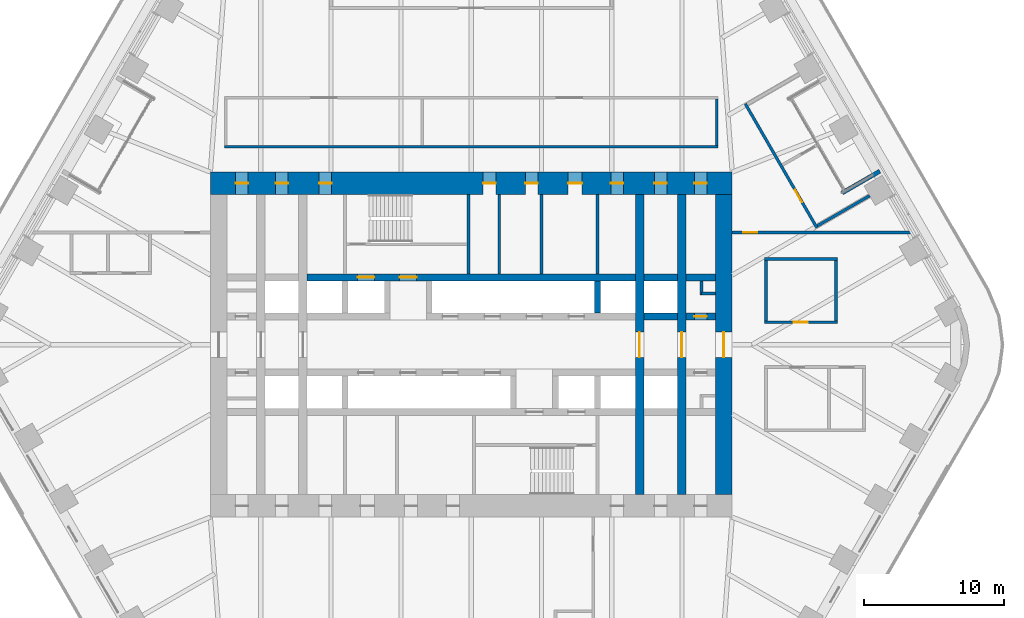
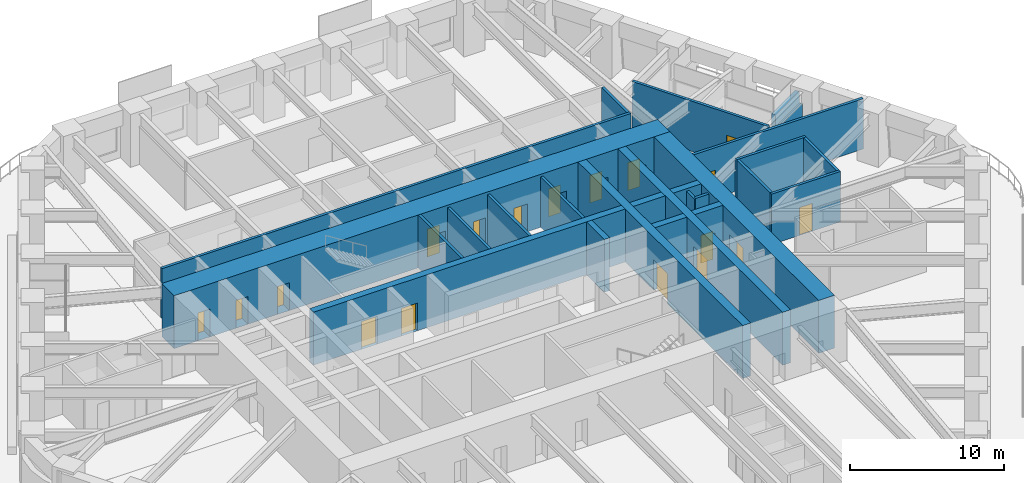
# One storey, part 20 of 24: 26 walls, 18 doors, 18 openings.
"""IFC4 building model written with IfcOpenShell, lengths in metres."""

from ifc_helpers import new_model, si_unit, direction, frame, frame_2d, origin, place, context, subcontext, project, spatial, rectangle, extrude, material, layer, layer_set, type_object, element, fill, save


model = new_model("IFC4")

# Units and contexts
model_context = context("Model", 3, precision=1e-05, world=origin(), true_north=direction((0.0, 1.0)))
body_context = subcontext(model_context, "Body", "Model", "MODEL_VIEW")
ifc_project = project(units=[si_unit("LENGTHUNIT", "METRE"), si_unit("AREAUNIT", "SQUARE_METRE"), si_unit("VOLUMEUNIT", "CUBIC_METRE"), si_unit("PLANEANGLEUNIT", "RADIAN"), si_unit("MASSUNIT", "GRAM", prefix="KILO")], contexts=[model_context])

# Site, building, storey
site_placement = place(None, origin())
site = spatial("IfcSite", under=ifc_project, at=site_placement, CompositionType="ELEMENT")
building_placement = place(site_placement, origin())
building = spatial("IfcBuilding", under=site, at=building_placement, Name="Tarfa Lantern Tower", CompositionType="ELEMENT")
storey_placement = place(building_placement, frame((0.0, 0.0, 144.699951171875)))
storey = spatial("IfcBuildingStorey", under=building, at=storey_placement, Name="L32", CompositionType="ELEMENT", Elevation=144.699951171875)

# Walls
ifc_material_1 = material(Name="Limestone cladding on blockwork", Category="masonry")
ifc_layer_1 = layer(ifc_material_1, 0.300048828125)
ifc_layer_set_1 = layer_set([ifc_layer_1], Name="EW1 STONE-CLAD WALL 300")
wall_type_1 = type_object("IfcWallType", Name="EW1 STONE-CLAD WALL 300", PredefinedType="SOLIDWALL", material=ifc_layer_set_1)
wall_1_placement = place(storey_placement, frame((29.1201171875, 12.362548828125, 0.0), z_axis=(0.0, 0.0, 1.0), x_axis=(-0.86602952684, -0.49999285859, 0.0)))
element("IfcWall", 1, at=wall_1_placement, inside=storey, type_object=wall_type_1, Name="Loggia return NE 1", PredefinedType="SOLIDWALL", context=body_context, shape_type="SweptSolid", body=[
    extrude(rectangle(XDim=3.10009765625, YDim=0.300048828125, at=frame_2d((1.550048828125, 0.0))), origin(), (0.0, 0.0, 1.0), 2.75),
])
ifc_material_2 = material(Name="Concrete blockwork", Category="masonry")
ifc_layer_2 = layer(ifc_material_2, 0.199951171875)
ifc_layer_set_2 = layer_set([ifc_layer_2], Name="IW1 BLOCKWORK PARTITION 200 EI 120")
wall_type_2 = type_object("IfcWallType", Name="IW1 BLOCKWORK PARTITION 200 EI 120", PredefinedType="PARTITIONING", material=ifc_layer_set_2)
for number, where, z_axis, x_axis, name in (
    (2, (9.0, 5.050048828125, 0.0), (0.0, 0.0, 1.0), (0.0, 1.0, 0.0), "Core partition"),
    (3, (2.0, 5.050048828125, 0.0), (0.0, 0.0, 1.0), (0.0, 1.0, 0.0), "Core partition"),
    (4, (5.0, 5.050048828125, 0.0), (0.0, 0.0, 1.0), (0.0, 1.0, 0.0), "Core partition"),
):
    element("IfcWall", number, at=place(storey_placement, frame(where, z_axis=z_axis, x_axis=x_axis)), inside=storey, type_object=wall_type_2, Name=name, PredefinedType="PARTITIONING", context=body_context, shape_type="SweptSolid", body=[
        extrude(rectangle(XDim=5.64990234375, YDim=0.199951171875, at=frame_2d((2.824951171875, 0.0))), origin(), (0.0, 0.0, 1.0), 4.0),
    ])
for number, where, z_axis, x_axis, name in (
    (5, (16.39990234375, 3.64990234375, 0.0), (0.0, 0.0, 1.0), (1.0, 0.0, 0.0), "Core partition"),
    (6, (16.39990234375, 3.550048828125, 0.0), (0.0, 0.0, 1.0), (0.0, 1.0, 0.0), "Core partition"),
):
    element("IfcWall", number, at=place(storey_placement, frame(where, z_axis=z_axis, x_axis=x_axis)), inside=storey, type_object=wall_type_2, Name=name, PredefinedType="PARTITIONING", context=body_context, shape_type="SweptSolid", body=[
        extrude(rectangle(XDim=1.0, YDim=0.199951171875, at=frame_2d((0.5, 0.0))), origin(), (0.0, 0.0, 1.0), 4.0),
    ])
ifc_material_3 = material(Name="Gypsum board on steel studs", Category="steel")
ifc_layer_3 = layer(ifc_material_3, 0.2099609375)
ifc_layer_set_3 = layer_set([ifc_layer_3], Name="IW2 ACOUSTIC PARTITION 200")
wall_type_3 = type_object("IfcWallType", Name="IW2 ACOUSTIC PARTITION 200", PredefinedType="PARTITIONING", material=ifc_layer_set_3)
wall_2_placement = place(storey_placement, frame((-17.60009765625, 14.10009765625, 0.0), z_axis=(0.0, 0.0, 1.0), x_axis=(1.0, 0.0, 0.0)))
element("IfcWall", 7, at=wall_2_placement, inside=storey, type_object=wall_type_3, Name="Partition", PredefinedType="PARTITIONING", context=body_context, shape_type="SweptSolid", body=[
    extrude(rectangle(XDim=35.2001953125, YDim=0.199951171875, at=frame_2d((17.60009765625, 0.0))), origin(), (0.0, 0.0, 1.0), 4.0),
])
wall_3_placement = place(storey_placement, frame((17.5, 14.199951171875, 0.0), z_axis=(0.0, 0.0, 1.0), x_axis=(0.0, 1.0, 0.0)))
element("IfcWall", 8, at=wall_3_placement, inside=storey, type_object=wall_type_3, Name="Partition", PredefinedType="PARTITIONING", context=body_context, shape_type="SweptSolid", body=[
    extrude(rectangle(XDim=3.300048828125, YDim=0.199951171875, at=frame_2d((1.64990234375, 0.0))), origin(), (0.0, 0.0, 1.0), 4.0),
])

# Wall, opening, door
wall_4_placement = place(storey_placement, frame((24.635498046875, 8.330078125, 0.0), z_axis=(0.0, 0.0, 1.0), x_axis=(-0.500005407604, 0.86602228168, 0.0)))
wall_4 = element("IfcWall", 9, at=wall_4_placement, inside=storey, type_object=wall_type_3, Name="Partition", PredefinedType="PARTITIONING", context=body_context, shape_type="SweptSolid", body=[
    extrude(rectangle(XDim=10.20751953125, YDim=0.199951171875, at=frame_2d((5.103759765625, 0.0))), origin(), (0.0, 0.0, 1.0), 4.0),
])
opening_1_placement = place(wall_4_placement, frame((2.101806640625, 0.0, 0.0)))
opening_1 = element("IfcOpeningElement", 10, at=opening_1_placement, cuts=wall_4, Name="Opening D37", PredefinedType="OPENING", context=body_context, shape_type="SweptSolid", body=[
    extrude(rectangle(XDim=1.0, YDim=2.199951171875, at=frame_2d((0.5, 1.10009765625))), frame((0.0, 0.10986328125, 0.0), z_axis=(0.0, -1.0, 0.0), x_axis=(1.0, 0.0, 0.0)), (0.0, 0.0, 1.0), 0.219970703125),
])
ifc_material_4 = material(Name="Timber door", Category="wood")
door_type_1 = type_object("IfcDoorType", Name="DR1 ROOM DOOR 1000x2200", OperationType="SINGLE_SWING_LEFT", PredefinedType="DOOR", material=ifc_material_4)
door_1_placement = place(opening_1_placement, frame((1.0, 0.0, 0.0), z_axis=(0.0, 0.0, 1.0), x_axis=(-1.0, 0.0, 0.0)))
door_1 = element("IfcDoor", 11, at=door_1_placement, inside=storey, type_object=door_type_1, Name="Treasury reception door", OperationType="SINGLE_SWING_LEFT", OverallHeight=2.199951171875, OverallWidth=1.0, PredefinedType="DOOR", context=body_context, shape_type="SweptSolid", body=[
    extrude(rectangle(XDim=1.0, YDim=2.199951171875, at=frame_2d((0.5, 1.10009765625))), frame((0.0, 0.02490234375, 0.0), z_axis=(0.0, -1.0, 0.0), x_axis=(1.0, 0.0, 0.0)), (0.0, 0.0, 1.0), 0.050048828125),
])
fill(opening_1, door_1)

# Wall
wall_5_placement = place(storey_placement, frame((24.672119140625, 8.466552734375, 0.0), z_axis=(0.0, 0.0, 1.0), x_axis=(0.866008775485, 0.500028799954, 0.0)))
element("IfcWall", 12, at=wall_5_placement, inside=storey, type_object=wall_type_3, Name="Partition", PredefinedType="PARTITIONING", context=body_context, shape_type="SweptSolid", body=[
    extrude(rectangle(XDim=4.300048828125, YDim=0.199951171875, at=frame_2d((2.14990234375, 0.0))), origin(), (0.0, 0.0, 1.0), 3.08154296875),
])

# Wall, opening, door
wall_6_placement = place(storey_placement, frame((20.89990234375, 1.60009765625, 0.0), z_axis=(0.0, 0.0, 1.0), x_axis=(1.0, 0.0, 0.0)))
wall_6 = element("IfcWall", 13, at=wall_6_placement, inside=storey, type_object=wall_type_3, Name="Partition", PredefinedType="PARTITIONING", context=body_context, shape_type="SweptSolid", body=[
    extrude(rectangle(XDim=5.2001953125, YDim=0.199951171875, at=frame_2d((2.60009765625, 0.0))), origin(), (0.0, 0.0, 1.0), 4.0),
])
opening_2_placement = place(wall_6_placement, frame((2.10009765625, 0.0, 0.0)))
opening_2 = element("IfcOpeningElement", 14, at=opening_2_placement, cuts=wall_6, Name="Opening D33", PredefinedType="OPENING", context=body_context, shape_type="SweptSolid", body=[
    extrude(rectangle(XDim=1.0, YDim=2.199951171875, at=frame_2d((0.5, 1.10009765625))), frame((0.0, 0.10986328125, 0.0), z_axis=(0.0, -1.0, 0.0), x_axis=(1.0, 0.0, 0.0)), (0.0, 0.0, 1.0), 0.219970703125),
])
door_2_placement = place(opening_2_placement, origin())
door_2 = element("IfcDoor", 15, at=door_2_placement, inside=storey, type_object=door_type_1, Name="Meeting room door", OperationType="SINGLE_SWING_RIGHT", OverallHeight=2.199951171875, OverallWidth=1.0, PredefinedType="DOOR", context=body_context, shape_type="SweptSolid", body=[
    extrude(rectangle(XDim=1.0, YDim=2.199951171875, at=frame_2d((0.5, 1.10009765625))), frame((0.0, 0.02490234375, 0.0), z_axis=(0.0, -1.0, 0.0), x_axis=(1.0, 0.0, 0.0)), (0.0, 0.0, 1.0), 0.050048828125),
])
fill(opening_2, door_2)

# Walls
wall_7_placement = place(storey_placement, frame((20.89990234375, 6.10009765625, 0.0), z_axis=(0.0, 0.0, 1.0), x_axis=(1.0, 0.0, 0.0)))
element("IfcWall", 16, at=wall_7_placement, inside=storey, type_object=wall_type_3, Name="Partition", PredefinedType="PARTITIONING", context=body_context, shape_type="SweptSolid", body=[
    extrude(rectangle(XDim=5.2001953125, YDim=0.199951171875, at=frame_2d((2.60009765625, 0.0))), origin(), (0.0, 0.0, 1.0), 4.0),
])
for number, where, z_axis, x_axis, name in (
    (17, (21.0, 1.699951171875, 0.0), (0.0, 0.0, 1.0), (0.0, 1.0, 0.0), "Partition"),
    (18, (26.0, 1.699951171875, 0.0), (0.0, 0.0, 1.0), (0.0, 1.0, 0.0), "Partition"),
):
    element("IfcWall", number, at=place(storey_placement, frame(where, z_axis=z_axis, x_axis=x_axis)), inside=storey, type_object=wall_type_3, Name=name, PredefinedType="PARTITIONING", context=body_context, shape_type="SweptSolid", body=[
        extrude(rectangle(XDim=4.300048828125, YDim=0.199951171875, at=frame_2d((2.14990234375, 0.0))), origin(), (0.0, 0.0, 1.0), 4.0),
    ])

# Wall, opening, door
wall_8_placement = place(storey_placement, frame((18.60009765625, 8.0, 0.0), z_axis=(0.0, 0.0, 1.0), x_axis=(1.0, 0.0, 0.0)))
wall_8 = element("IfcWall", 19, at=wall_8_placement, inside=storey, type_object=wall_type_3, Name="Partition", PredefinedType="PARTITIONING", context=body_context, shape_type="SweptSolid", body=[
    extrude(rectangle(XDim=12.89990234375, YDim=0.199951171875, at=frame_2d((6.449951171875, 0.0))), origin(), (0.0, 0.0, 1.0), 4.0),
])
opening_3_placement = place(wall_8_placement, frame((0.7900390625, 0.0, 0.0)))
opening_3 = element("IfcOpeningElement", 20, at=opening_3_placement, cuts=wall_8, Name="Opening D46", PredefinedType="OPENING", context=body_context, shape_type="SweptSolid", body=[
    extrude(rectangle(XDim=1.0, YDim=2.199951171875, at=frame_2d((0.5, 1.10009765625))), frame((0.0, 0.10986328125, 0.0), z_axis=(0.0, -1.0, 0.0), x_axis=(1.0, 0.0, 0.0)), (0.0, 0.0, 1.0), 0.219970703125),
])
door_3_placement = place(opening_3_placement, frame((1.0, 0.0, 0.0), z_axis=(0.0, 0.0, 1.0), x_axis=(-1.0, 0.0, 0.0)))
door_3 = element("IfcDoor", 21, at=door_3_placement, inside=storey, type_object=door_type_1, Name="Zone door", OperationType="SINGLE_SWING_LEFT", OverallHeight=2.199951171875, OverallWidth=1.0, PredefinedType="DOOR", context=body_context, shape_type="SweptSolid", body=[
    extrude(rectangle(XDim=1.0, YDim=2.199951171875, at=frame_2d((0.5, 1.10009765625))), frame((0.0, 0.02490234375, 0.0), z_axis=(0.0, -1.0, 0.0), x_axis=(1.0, 0.0, 0.0)), (0.0, 0.0, 1.0), 0.050048828125),
])
fill(opening_3, door_3)

ifc_material_5 = material(Name="Concrete C80/95", Category="concrete")
ifc_layer_4 = layer(ifc_material_5, 1.199951171875)
ifc_layer_set_4 = layer_set([ifc_layer_4], Name="SW1 CORE WALL 1200")
wall_type_4 = type_object("IfcWallType", Name="SW1 CORE WALL 1200", PredefinedType="SHEAR", material=ifc_layer_set_4)
wall_9_placement = place(storey_placement, frame((18.0, -10.699951171875, 0.0), z_axis=(0.0, 0.0, 1.0), x_axis=(0.0, 1.0, 0.0)))
wall_9 = element("IfcWall", 22, at=wall_9_placement, inside=storey, type_object=wall_type_4, Name="Core wall E", PredefinedType="SHEAR", context=body_context, shape_type="SweptSolid", body=[
    extrude(rectangle(XDim=21.39990234375, YDim=1.199951171875, at=frame_2d((10.699951171875, 0.0))), origin(), (0.0, 0.0, 1.0), 4.199951171875),
])
opening_4_placement = place(wall_9_placement, frame((9.800048828125, 0.0, 0.0)))
opening_4 = element("IfcOpeningElement", 23, at=opening_4_placement, cuts=wall_9, Name="Opening D15", PredefinedType="OPENING", context=body_context, shape_type="SweptSolid", body=[
    extrude(rectangle(XDim=1.800048828125, YDim=2.39990234375, at=frame_2d((0.89990234375, 1.199951171875))), frame((0.0, 0.60986328125, 0.0), z_axis=(0.0, -1.0, 0.0), x_axis=(1.0, 0.0, 0.0)), (0.0, 0.0, 1.0), 1.219970703125),
])
ifc_material_6 = material(Name="Steel fire door", Category="steel")
door_type_2 = type_object("IfcDoorType", Name="DL1 LOBBY DOOR 1800x2400", OperationType="DOUBLE_DOOR_SINGLE_SWING", PredefinedType="DOOR", material=ifc_material_6)
door_4_placement = place(opening_4_placement, frame((1.800048828125, 0.0, 0.0), z_axis=(0.0, 0.0, 1.0), x_axis=(-1.0, 0.0, 0.0)))
door_4 = element("IfcDoor", 24, at=door_4_placement, inside=storey, type_object=door_type_2, Name="Lift lobby door", OperationType="DOUBLE_DOOR_SINGLE_SWING", OverallHeight=2.39990234375, OverallWidth=1.800048828125, PredefinedType="DOOR", context=body_context, shape_type="SweptSolid", body=[
    extrude(rectangle(XDim=1.800048828125, YDim=2.39990234375, at=frame_2d((0.89990234375, 1.199951171875))), frame((0.0, 0.02490234375, 0.0), z_axis=(0.0, -1.0, 0.0), x_axis=(1.0, 0.0, 0.0)), (0.0, 0.0, 1.0), 0.050048828125),
])
fill(opening_4, door_4)

# Walls
ifc_layer_5 = layer(ifc_material_5, 0.199951171875)
ifc_layer_set_5 = layer_set([ifc_layer_5], Name="SW12 CORE WALL 200")
wall_type_5 = type_object("IfcWallType", Name="SW12 CORE WALL 200", PredefinedType="SHEAR", material=ifc_layer_set_5)
wall_10_placement = place(storey_placement, frame((-0.199951171875, 5.050048828125, 0.0), z_axis=(0.0, 0.0, 1.0), x_axis=(0.0, 1.0, 0.0)))
element("IfcWall", 25, at=wall_10_placement, inside=storey, type_object=wall_type_5, Name="Core wall stair shaft N", PredefinedType="SHEAR", context=body_context, shape_type="SweptSolid", body=[
    extrude(rectangle(XDim=5.64990234375, YDim=0.199951171875, at=frame_2d((2.824951171875, 0.0))), origin(), (0.0, 0.0, 1.0), 4.199951171875),
])
ifc_layer_6 = layer(ifc_material_5, 0.5)
ifc_layer_set_6 = layer_set([ifc_layer_6], Name="SW5 CORE WALL 500")
wall_type_6 = type_object("IfcWallType", Name="SW5 CORE WALL 500", PredefinedType="SHEAR", material=ifc_layer_set_6)
wall_11_placement = place(storey_placement, frame((12.300048828125, 2.0, 0.0), z_axis=(0.0, 0.0, 1.0), x_axis=(1.0, 0.0, 0.0)))
element("IfcWall", 26, at=wall_11_placement, inside=storey, type_object=wall_type_6, Name="Core wall lobby east N", PredefinedType="SHEAR", context=body_context, shape_type="SweptSolid", body=[
    extrude(rectangle(XDim=2.39990234375, YDim=0.5, at=frame_2d((1.199951171875, 0.0))), origin(), (0.0, 0.0, 1.0), 4.199951171875),
])

# Wall, opening, door
wall_12_placement = place(storey_placement, frame((15.300048828125, 2.0, 0.0), z_axis=(0.0, 0.0, 1.0), x_axis=(1.0, 0.0, 0.0)))
wall_12 = element("IfcWall", 27, at=wall_12_placement, inside=storey, type_object=wall_type_6, Name="Core wall lobby east N", PredefinedType="SHEAR", context=body_context, shape_type="SweptSolid", body=[
    extrude(rectangle(XDim=2.099853515625, YDim=0.5, at=frame_2d((1.0498046875, 0.0))), origin(), (0.0, 0.0, 1.0), 4.199951171875),
])
opening_5_placement = place(wall_12_placement, frame((0.60009765625, 0.0, 0.0)))
opening_5 = element("IfcOpeningElement", 28, at=opening_5_placement, cuts=wall_12, Name="Opening D17", PredefinedType="OPENING", context=body_context, shape_type="SweptSolid", body=[
    extrude(rectangle(XDim=0.89990234375, YDim=2.199951171875, at=frame_2d((0.449951171875, 1.10009765625))), frame((0.0, 0.260009765625, 0.0), z_axis=(0.0, -1.0, 0.0), x_axis=(1.0, 0.0, 0.0)), (0.0, 0.0, 1.0), 0.52001953125),
])
door_type_3 = type_object("IfcDoorType", Name="DF6 SERVICE ROOM DOOR 900x2200", OperationType="SINGLE_SWING_LEFT", PredefinedType="DOOR", material=ifc_material_6)
door_5_placement = place(opening_5_placement, origin())
door_5 = element("IfcDoor", 29, at=door_5_placement, inside=storey, type_object=door_type_3, Name="Service room door", OperationType="SINGLE_SWING_LEFT", OverallHeight=2.199951171875, OverallWidth=0.89990234375, PredefinedType="DOOR", context=body_context, shape_type="SweptSolid", body=[
    extrude(rectangle(XDim=0.89990234375, YDim=2.199951171875, at=frame_2d((0.449951171875, 1.10009765625))), frame((0.0, 0.02490234375, 0.0), z_axis=(0.0, -1.0, 0.0), x_axis=(1.0, 0.0, 0.0)), (0.0, 0.0, 1.0), 0.050048828125),
])
fill(opening_5, door_5)

# Wall, openings, doors
wall_13_placement = place(storey_placement, frame((-11.699951171875, 4.800048828125, 0.0), z_axis=(0.0, 0.0, 1.0), x_axis=(1.0, 0.0, 0.0)))
wall_13 = element("IfcWall", 30, at=wall_13_placement, inside=storey, type_object=wall_type_6, Name="Core wall rear N", PredefinedType="SHEAR", context=body_context, shape_type="SweptSolid", body=[
    extrude(rectangle(XDim=23.39990234375, YDim=0.5, at=frame_2d((11.699951171875, 0.0))), origin(), (0.0, 0.0, 1.0), 4.199951171875),
])
opening_6_placement = place(wall_13_placement, frame((6.60009765625, 0.0, 0.0)))
opening_6 = element("IfcOpeningElement", 31, at=opening_6_placement, cuts=wall_13, Name="Opening D13", PredefinedType="OPENING", context=body_context, shape_type="SweptSolid", body=[
    extrude(rectangle(XDim=1.199951171875, YDim=2.199951171875, at=frame_2d((0.60009765625, 1.10009765625))), frame((0.0, 0.260009765625, 0.0), z_axis=(0.0, -1.0, 0.0), x_axis=(1.0, 0.0, 0.0)), (0.0, 0.0, 1.0), 0.52001953125),
])
opening_7_placement = place(wall_13_placement, frame((3.60009765625, 0.0, 0.0)))
opening_7 = element("IfcOpeningElement", 32, at=opening_7_placement, cuts=wall_13, Name="Opening LD01", PredefinedType="OPENING", context=body_context, shape_type="SweptSolid", body=[
    extrude(rectangle(XDim=1.199951171875, YDim=2.199951171875, at=frame_2d((0.60009765625, 1.10009765625))), frame((0.0, 0.260009765625, 0.0), z_axis=(0.0, -1.0, 0.0), x_axis=(1.0, 0.0, 0.0)), (0.0, 0.0, 1.0), 0.52001953125),
])
door_type_4 = type_object("IfcDoorType", Name="DF1 FIREFIGHTING LOBBY DOOR 1200x2200", OperationType="SINGLE_SWING_LEFT", PredefinedType="DOOR", material=ifc_material_6)
door_6_placement = place(opening_6_placement, origin())
door_6 = element("IfcDoor", 33, at=door_6_placement, inside=storey, type_object=door_type_4, Name="Firefighting lobby door", OperationType="SINGLE_SWING_LEFT", OverallHeight=2.199951171875, OverallWidth=1.199951171875, PredefinedType="DOOR", context=body_context, shape_type="SweptSolid", body=[
    extrude(rectangle(XDim=1.199951171875, YDim=2.199951171875, at=frame_2d((0.60009765625, 1.10009765625))), frame((0.0, 0.02490234375, 0.0), z_axis=(0.0, -1.0, 0.0), x_axis=(1.0, 0.0, 0.0)), (0.0, 0.0, 1.0), 0.050048828125),
])
fill(opening_6, door_6)
ifc_material_7 = material(Name="Stainless steel lift door", Category="steel")
door_type_5 = type_object("IfcDoorType", Name="LD1 LIFT LANDING DOOR 1200x2200", OperationType="SLIDING_TO_LEFT", PredefinedType="DOOR", material=ifc_material_7)
door_7_placement = place(opening_7_placement, origin())
door_7 = element("IfcDoor", 34, at=door_7_placement, inside=storey, type_object=door_type_5, Name="Landing door FL1", OperationType="SLIDING_TO_LEFT", OverallHeight=2.199951171875, OverallWidth=1.199951171875, PredefinedType="DOOR", context=body_context, shape_type="SweptSolid", body=[
    extrude(rectangle(XDim=1.199951171875, YDim=2.199951171875, at=frame_2d((0.60009765625, 1.10009765625))), frame((0.0, 0.02490234375, 0.0), z_axis=(0.0, -1.0, 0.0), x_axis=(1.0, 0.0, 0.0)), (0.0, 0.0, 1.0), 0.050048828125),
])
fill(opening_7, door_7)

# Walls
wall_14_placement = place(storey_placement, frame((12.300048828125, 4.800048828125, 0.0), z_axis=(0.0, 0.0, 1.0), x_axis=(1.0, 0.0, 0.0)))
element("IfcWall", 35, at=wall_14_placement, inside=storey, type_object=wall_type_6, Name="Core wall rear N", PredefinedType="SHEAR", context=body_context, shape_type="SweptSolid", body=[
    extrude(rectangle(XDim=2.39990234375, YDim=0.5, at=frame_2d((1.199951171875, 0.0))), origin(), (0.0, 0.0, 1.0), 4.199951171875),
])
wall_15_placement = place(storey_placement, frame((15.300048828125, 4.800048828125, 0.0), z_axis=(0.0, 0.0, 1.0), x_axis=(1.0, 0.0, 0.0)))
element("IfcWall", 36, at=wall_15_placement, inside=storey, type_object=wall_type_6, Name="Core wall rear N", PredefinedType="SHEAR", context=body_context, shape_type="SweptSolid", body=[
    extrude(rectangle(XDim=2.099853515625, YDim=0.5, at=frame_2d((1.0498046875, 0.0))), origin(), (0.0, 0.0, 1.0), 4.199951171875),
])
ifc_layer_7 = layer(ifc_material_5, 0.39990234375)
ifc_layer_set_7 = layer_set([ifc_layer_7], Name="SW6 CORE WALL 400")
wall_type_7 = type_object("IfcWallType", Name="SW6 CORE WALL 400", PredefinedType="SHEAR", material=ifc_layer_set_7)
wall_16_placement = place(storey_placement, frame((9.0, 2.25, 0.0), z_axis=(0.0, 0.0, 1.0), x_axis=(0.0, 1.0, 0.0)))
element("IfcWall", 37, at=wall_16_placement, inside=storey, type_object=wall_type_7, Name="Core wall divider N", PredefinedType="SHEAR", context=body_context, shape_type="SweptSolid", body=[
    extrude(rectangle(XDim=2.300048828125, YDim=0.39990234375, at=frame_2d((1.14990234375, 0.0))), origin(), (0.0, 0.0, 1.0), 4.199951171875),
])

# Wall, openings, doors
ifc_layer_8 = layer(ifc_material_5, 1.60009765625)
ifc_layer_set_8 = layer_set([ifc_layer_8], Name="SW7 CORE WALL 1600")
wall_type_8 = type_object("IfcWallType", Name="SW7 CORE WALL 1600", PredefinedType="SHEAR", material=ifc_layer_set_8)
wall_17_placement = place(storey_placement, frame((-18.60009765625, 11.5, 0.0), z_axis=(0.0, 0.0, 1.0), x_axis=(1.0, 0.0, 0.0)))
wall_17 = element("IfcWall", 38, at=wall_17_placement, inside=storey, type_object=wall_type_8, Name="Core wall N", PredefinedType="SHEAR", context=body_context, shape_type="SweptSolid", body=[
    extrude(rectangle(XDim=37.2001953125, YDim=1.60009765625, at=frame_2d((18.60009765625, 0.0))), origin(), (0.0, 0.0, 1.0), 4.199951171875),
])
opening_8_placement = place(wall_17_placement, frame((19.449951171875, 0.0, 0.0)))
opening_8 = element("IfcOpeningElement", 39, at=opening_8_placement, cuts=wall_17, Name="Opening D21", PredefinedType="OPENING", context=body_context, shape_type="SweptSolid", body=[
    extrude(rectangle(XDim=0.89990234375, YDim=2.199951171875, at=frame_2d((0.449951171875, 1.10009765625))), frame((0.0, 0.81005859375, 0.0), z_axis=(0.0, -1.0, 0.0), x_axis=(1.0, 0.0, 0.0)), (0.0, 0.0, 1.0), 1.6201171875),
])
opening_9_placement = place(wall_17_placement, frame((22.449951171875, 0.0, 0.0)))
opening_9 = element("IfcOpeningElement", 40, at=opening_9_placement, cuts=wall_17, Name="Opening D23", PredefinedType="OPENING", context=body_context, shape_type="SweptSolid", body=[
    extrude(rectangle(XDim=0.89990234375, YDim=2.199951171875, at=frame_2d((0.449951171875, 1.10009765625))), frame((0.0, 0.81005859375, 0.0), z_axis=(0.0, -1.0, 0.0), x_axis=(1.0, 0.0, 0.0)), (0.0, 0.0, 1.0), 1.6201171875),
])
opening_10_placement = place(wall_17_placement, frame((25.5, 0.0, 0.0)))
opening_10 = element("IfcOpeningElement", 41, at=opening_10_placement, cuts=wall_17, Name="Opening D25", PredefinedType="OPENING", context=body_context, shape_type="SweptSolid", body=[
    extrude(rectangle(XDim=1.0, YDim=2.199951171875, at=frame_2d((0.5, 1.10009765625))), frame((0.0, 0.81005859375, 0.0), z_axis=(0.0, -1.0, 0.0), x_axis=(1.0, 0.0, 0.0)), (0.0, 0.0, 1.0), 1.6201171875),
])
opening_11_placement = place(wall_17_placement, frame((1.800048828125, 0.0, 0.0)))
opening_11 = element("IfcOpeningElement", 42, at=opening_11_placement, cuts=wall_17, Name="Opening D11", PredefinedType="OPENING", context=body_context, shape_type="SweptSolid", body=[
    extrude(rectangle(XDim=0.89990234375, YDim=2.199951171875, at=frame_2d((0.449951171875, 1.10009765625))), frame((0.0, 0.81005859375, 0.0), z_axis=(0.0, -1.0, 0.0), x_axis=(1.0, 0.0, 0.0)), (0.0, 0.0, 1.0), 1.6201171875),
])
opening_12_placement = place(wall_17_placement, frame((4.64990234375, 0.0, 0.0)))
opening_12 = element("IfcOpeningElement", 43, at=opening_12_placement, cuts=wall_17, Name="Opening D07", PredefinedType="OPENING", context=body_context, shape_type="SweptSolid", body=[
    extrude(rectangle(XDim=0.89990234375, YDim=2.199951171875, at=frame_2d((0.449951171875, 1.10009765625))), frame((0.0, 0.81005859375, 0.0), z_axis=(0.0, -1.0, 0.0), x_axis=(1.0, 0.0, 0.0)), (0.0, 0.0, 1.0), 1.6201171875),
])
opening_13_placement = place(wall_17_placement, frame((7.75, 0.0, 0.0)))
opening_13 = element("IfcOpeningElement", 44, at=opening_13_placement, cuts=wall_17, Name="Opening D09", PredefinedType="OPENING", context=body_context, shape_type="SweptSolid", body=[
    extrude(rectangle(XDim=0.89990234375, YDim=2.199951171875, at=frame_2d((0.449951171875, 1.10009765625))), frame((0.0, 0.81005859375, 0.0), z_axis=(0.0, -1.0, 0.0), x_axis=(1.0, 0.0, 0.0)), (0.0, 0.0, 1.0), 1.6201171875),
])
opening_14_placement = place(wall_17_placement, frame((28.550048828125, 0.0, 0.0)))
opening_14 = element("IfcOpeningElement", 45, at=opening_14_placement, cuts=wall_17, Name="Opening D05", PredefinedType="OPENING", context=body_context, shape_type="SweptSolid", body=[
    extrude(rectangle(XDim=0.89990234375, YDim=2.199951171875, at=frame_2d((0.449951171875, 1.10009765625))), frame((0.0, 0.81005859375, 0.0), z_axis=(0.0, -1.0, 0.0), x_axis=(1.0, 0.0, 0.0)), (0.0, 0.0, 1.0), 1.6201171875),
])
opening_15_placement = place(wall_17_placement, frame((31.64990234375, 0.0, 0.0)))
opening_15 = element("IfcOpeningElement", 46, at=opening_15_placement, cuts=wall_17, Name="Opening D01", PredefinedType="OPENING", context=body_context, shape_type="SweptSolid", body=[
    extrude(rectangle(XDim=0.89990234375, YDim=2.199951171875, at=frame_2d((0.449951171875, 1.10009765625))), frame((0.0, 0.81005859375, 0.0), z_axis=(0.0, -1.0, 0.0), x_axis=(1.0, 0.0, 0.0)), (0.0, 0.0, 1.0), 1.6201171875),
])
opening_16_placement = place(wall_17_placement, frame((34.5, 0.0, 0.0)))
opening_16 = element("IfcOpeningElement", 47, at=opening_16_placement, cuts=wall_17, Name="Opening D03", PredefinedType="OPENING", context=body_context, shape_type="SweptSolid", body=[
    extrude(rectangle(XDim=0.89990234375, YDim=2.199951171875, at=frame_2d((0.449951171875, 1.10009765625))), frame((0.0, 0.81005859375, 0.0), z_axis=(0.0, -1.0, 0.0), x_axis=(1.0, 0.0, 0.0)), (0.0, 0.0, 1.0), 1.6201171875),
])
door_type_6 = type_object("IfcDoorType", Name="DF3 CORE ROOM DOOR 900x2200", OperationType="SINGLE_SWING_LEFT", PredefinedType="DOOR", material=ifc_material_6)
door_8_placement = place(opening_8_placement, frame((0.89990234375, 0.0, 0.0), z_axis=(0.0, 0.0, 1.0), x_axis=(-1.0, 0.0, 0.0)))
door_8 = element("IfcDoor", 48, at=door_8_placement, inside=storey, type_object=door_type_6, Name="Core door", OperationType="SINGLE_SWING_RIGHT", OverallHeight=2.199951171875, OverallWidth=0.89990234375, PredefinedType="DOOR", context=body_context, shape_type="SweptSolid", body=[
    extrude(rectangle(XDim=0.89990234375, YDim=2.199951171875, at=frame_2d((0.449951171875, 1.10009765625))), frame((0.0, 0.02490234375, 0.0), z_axis=(0.0, -1.0, 0.0), x_axis=(1.0, 0.0, 0.0)), (0.0, 0.0, 1.0), 0.050048828125),
])
fill(opening_8, door_8)
door_9_placement = place(opening_9_placement, frame((0.89990234375, 0.0, 0.0), z_axis=(0.0, 0.0, 1.0), x_axis=(-1.0, 0.0, 0.0)))
door_9 = element("IfcDoor", 49, at=door_9_placement, inside=storey, type_object=door_type_6, Name="Core door", OperationType="SINGLE_SWING_RIGHT", OverallHeight=2.199951171875, OverallWidth=0.89990234375, PredefinedType="DOOR", context=body_context, shape_type="SweptSolid", body=[
    extrude(rectangle(XDim=0.89990234375, YDim=2.199951171875, at=frame_2d((0.449951171875, 1.10009765625))), frame((0.0, 0.02490234375, 0.0), z_axis=(0.0, -1.0, 0.0), x_axis=(1.0, 0.0, 0.0)), (0.0, 0.0, 1.0), 0.050048828125),
])
fill(opening_9, door_9)
door_type_7 = type_object("IfcDoorType", Name="DF4 CORE ROOM DOOR 1000x2200", OperationType="SINGLE_SWING_LEFT", PredefinedType="DOOR", material=ifc_material_6)
door_10_placement = place(opening_10_placement, frame((1.0, 0.0, 0.0), z_axis=(0.0, 0.0, 1.0), x_axis=(-1.0, 0.0, 0.0)))
door_10 = element("IfcDoor", 50, at=door_10_placement, inside=storey, type_object=door_type_7, Name="Core door", OperationType="SINGLE_SWING_RIGHT", OverallHeight=2.199951171875, OverallWidth=1.0, PredefinedType="DOOR", context=body_context, shape_type="SweptSolid", body=[
    extrude(rectangle(XDim=1.0, YDim=2.199951171875, at=frame_2d((0.5, 1.10009765625))), frame((0.0, 0.02490234375, 0.0), z_axis=(0.0, -1.0, 0.0), x_axis=(1.0, 0.0, 0.0)), (0.0, 0.0, 1.0), 0.050048828125),
])
fill(opening_10, door_10)
door_type_8 = type_object("IfcDoorType", Name="DF5 RISER DOOR 900x2200", OperationType="SINGLE_SWING_LEFT", PredefinedType="DOOR", material=ifc_material_6)
door_11_placement = place(opening_11_placement, frame((0.89990234375, 0.0, 0.0), z_axis=(0.0, 0.0, 1.0), x_axis=(-1.0, 0.0, 0.0)))
door_11 = element("IfcDoor", 51, at=door_11_placement, inside=storey, type_object=door_type_8, Name="Riser door", OperationType="SINGLE_SWING_LEFT", OverallHeight=2.199951171875, OverallWidth=0.89990234375, PredefinedType="DOOR", context=body_context, shape_type="SweptSolid", body=[
    extrude(rectangle(XDim=0.89990234375, YDim=2.199951171875, at=frame_2d((0.449951171875, 1.10009765625))), frame((0.0, 0.02490234375, 0.0), z_axis=(0.0, -1.0, 0.0), x_axis=(1.0, 0.0, 0.0)), (0.0, 0.0, 1.0), 0.050048828125),
])
fill(opening_11, door_11)
door_12_placement = place(opening_12_placement, frame((0.89990234375, 0.0, 0.0), z_axis=(0.0, 0.0, 1.0), x_axis=(-1.0, 0.0, 0.0)))
door_12 = element("IfcDoor", 52, at=door_12_placement, inside=storey, type_object=door_type_8, Name="Riser door", OperationType="SINGLE_SWING_LEFT", OverallHeight=2.199951171875, OverallWidth=0.89990234375, PredefinedType="DOOR", context=body_context, shape_type="SweptSolid", body=[
    extrude(rectangle(XDim=0.89990234375, YDim=2.199951171875, at=frame_2d((0.449951171875, 1.10009765625))), frame((0.0, 0.02490234375, 0.0), z_axis=(0.0, -1.0, 0.0), x_axis=(1.0, 0.0, 0.0)), (0.0, 0.0, 1.0), 0.050048828125),
])
fill(opening_12, door_12)
door_13_placement = place(opening_13_placement, frame((0.89990234375, 0.0, 0.0), z_axis=(0.0, 0.0, 1.0), x_axis=(-1.0, 0.0, 0.0)))
door_13 = element("IfcDoor", 53, at=door_13_placement, inside=storey, type_object=door_type_8, Name="Riser door", OperationType="SINGLE_SWING_LEFT", OverallHeight=2.199951171875, OverallWidth=0.89990234375, PredefinedType="DOOR", context=body_context, shape_type="SweptSolid", body=[
    extrude(rectangle(XDim=0.89990234375, YDim=2.199951171875, at=frame_2d((0.449951171875, 1.10009765625))), frame((0.0, 0.02490234375, 0.0), z_axis=(0.0, -1.0, 0.0), x_axis=(1.0, 0.0, 0.0)), (0.0, 0.0, 1.0), 0.050048828125),
])
fill(opening_13, door_13)
door_14_placement = place(opening_14_placement, frame((0.89990234375, 0.0, 0.0), z_axis=(0.0, 0.0, 1.0), x_axis=(-1.0, 0.0, 0.0)))
door_14 = element("IfcDoor", 54, at=door_14_placement, inside=storey, type_object=door_type_8, Name="Riser door", OperationType="SINGLE_SWING_RIGHT", OverallHeight=2.199951171875, OverallWidth=0.89990234375, PredefinedType="DOOR", context=body_context, shape_type="SweptSolid", body=[
    extrude(rectangle(XDim=0.89990234375, YDim=2.199951171875, at=frame_2d((0.449951171875, 1.10009765625))), frame((0.0, 0.02490234375, 0.0), z_axis=(0.0, -1.0, 0.0), x_axis=(1.0, 0.0, 0.0)), (0.0, 0.0, 1.0), 0.050048828125),
])
fill(opening_14, door_14)
door_15_placement = place(opening_15_placement, frame((0.89990234375, 0.0, 0.0), z_axis=(0.0, 0.0, 1.0), x_axis=(-1.0, 0.0, 0.0)))
door_15 = element("IfcDoor", 55, at=door_15_placement, inside=storey, type_object=door_type_8, Name="Riser door", OperationType="SINGLE_SWING_RIGHT", OverallHeight=2.199951171875, OverallWidth=0.89990234375, PredefinedType="DOOR", context=body_context, shape_type="SweptSolid", body=[
    extrude(rectangle(XDim=0.89990234375, YDim=2.199951171875, at=frame_2d((0.449951171875, 1.10009765625))), frame((0.0, 0.02490234375, 0.0), z_axis=(0.0, -1.0, 0.0), x_axis=(1.0, 0.0, 0.0)), (0.0, 0.0, 1.0), 0.050048828125),
])
fill(opening_15, door_15)
door_16_placement = place(opening_16_placement, frame((0.89990234375, 0.0, 0.0), z_axis=(0.0, 0.0, 1.0), x_axis=(-1.0, 0.0, 0.0)))
door_16 = element("IfcDoor", 56, at=door_16_placement, inside=storey, type_object=door_type_8, Name="Riser door", OperationType="SINGLE_SWING_RIGHT", OverallHeight=2.199951171875, OverallWidth=0.89990234375, PredefinedType="DOOR", context=body_context, shape_type="SweptSolid", body=[
    extrude(rectangle(XDim=0.89990234375, YDim=2.199951171875, at=frame_2d((0.449951171875, 1.10009765625))), frame((0.0, 0.02490234375, 0.0), z_axis=(0.0, -1.0, 0.0), x_axis=(1.0, 0.0, 0.0)), (0.0, 0.0, 1.0), 0.050048828125),
])
fill(opening_16, door_16)

# Wall, opening, door
ifc_layer_9 = layer(ifc_material_5, 0.60009765625)
ifc_layer_set_9 = layer_set([ifc_layer_9], Name="SW9 CORE WALL 600")
wall_type_9 = type_object("IfcWallType", Name="SW9 CORE WALL 600", PredefinedType="SHEAR", material=ifc_layer_set_9)
wall_18_placement = place(storey_placement, frame((12.0, -10.699951171875, 0.0), z_axis=(0.0, 0.0, 1.0), x_axis=(0.0, 1.0, 0.0)))
wall_18 = element("IfcWall", 57, at=wall_18_placement, inside=storey, type_object=wall_type_9, Name="Core wall cross 12 m east", PredefinedType="SHEAR", context=body_context, shape_type="SweptSolid", body=[
    extrude(rectangle(XDim=21.39990234375, YDim=0.60009765625, at=frame_2d((10.699951171875, 0.0))), origin(), (0.0, 0.0, 1.0), 4.199951171875),
])
opening_17_placement = place(wall_18_placement, frame((9.800048828125, 0.0, 0.0)))
opening_17 = element("IfcOpeningElement", 58, at=opening_17_placement, cuts=wall_18, Name="Opening D29", PredefinedType="OPENING", context=body_context, shape_type="SweptSolid", body=[
    extrude(rectangle(XDim=1.800048828125, YDim=2.39990234375, at=frame_2d((0.89990234375, 1.199951171875))), frame((0.0, 0.31005859375, 0.0), z_axis=(0.0, -1.0, 0.0), x_axis=(1.0, 0.0, 0.0)), (0.0, 0.0, 1.0), 0.6201171875),
])
door_17_placement = place(opening_17_placement, origin())
door_17 = element("IfcDoor", 59, at=door_17_placement, inside=storey, type_object=door_type_2, Name="Lift lobby door", OperationType="DOUBLE_DOOR_SINGLE_SWING", OverallHeight=2.39990234375, OverallWidth=1.800048828125, PredefinedType="DOOR", context=body_context, shape_type="SweptSolid", body=[
    extrude(rectangle(XDim=1.800048828125, YDim=2.39990234375, at=frame_2d((0.89990234375, 1.199951171875))), frame((0.0, 0.02490234375, 0.0), z_axis=(0.0, -1.0, 0.0), x_axis=(1.0, 0.0, 0.0)), (0.0, 0.0, 1.0), 0.050048828125),
])
fill(opening_17, door_17)

wall_19_placement = place(storey_placement, frame((15.0, -10.699951171875, 0.0), z_axis=(0.0, 0.0, 1.0), x_axis=(0.0, 1.0, 0.0)))
wall_19 = element("IfcWall", 60, at=wall_19_placement, inside=storey, type_object=wall_type_9, Name="Core wall cross 15 m east", PredefinedType="SHEAR", context=body_context, shape_type="SweptSolid", body=[
    extrude(rectangle(XDim=21.39990234375, YDim=0.60009765625, at=frame_2d((10.699951171875, 0.0))), origin(), (0.0, 0.0, 1.0), 4.199951171875),
])
opening_18_placement = place(wall_19_placement, frame((9.800048828125, 0.0, 0.0)))
opening_18 = element("IfcOpeningElement", 61, at=opening_18_placement, cuts=wall_19, Name="Opening D30", PredefinedType="OPENING", context=body_context, shape_type="SweptSolid", body=[
    extrude(rectangle(XDim=1.800048828125, YDim=2.39990234375, at=frame_2d((0.89990234375, 1.199951171875))), frame((0.0, 0.31005859375, 0.0), z_axis=(0.0, -1.0, 0.0), x_axis=(1.0, 0.0, 0.0)), (0.0, 0.0, 1.0), 0.6201171875),
])
door_18_placement = place(opening_18_placement, origin())
door_18 = element("IfcDoor", 62, at=door_18_placement, inside=storey, type_object=door_type_2, Name="Lift lobby door", OperationType="DOUBLE_DOOR_SINGLE_SWING", OverallHeight=2.39990234375, OverallWidth=1.800048828125, PredefinedType="DOOR", context=body_context, shape_type="SweptSolid", body=[
    extrude(rectangle(XDim=1.800048828125, YDim=2.39990234375, at=frame_2d((0.89990234375, 1.199951171875))), frame((0.0, 0.02490234375, 0.0), z_axis=(0.0, -1.0, 0.0), x_axis=(1.0, 0.0, 0.0)), (0.0, 0.0, 1.0), 0.050048828125),
])
fill(opening_18, door_18)

save(model, "model.ifc")
